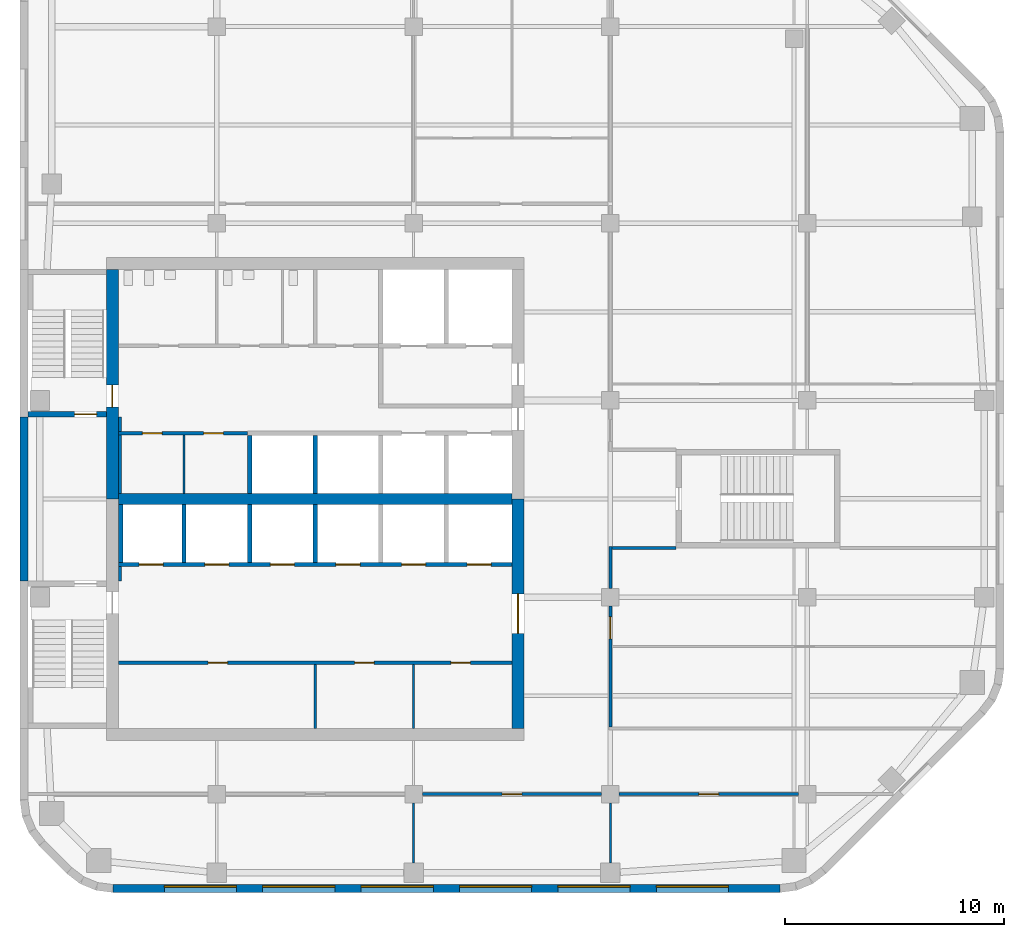
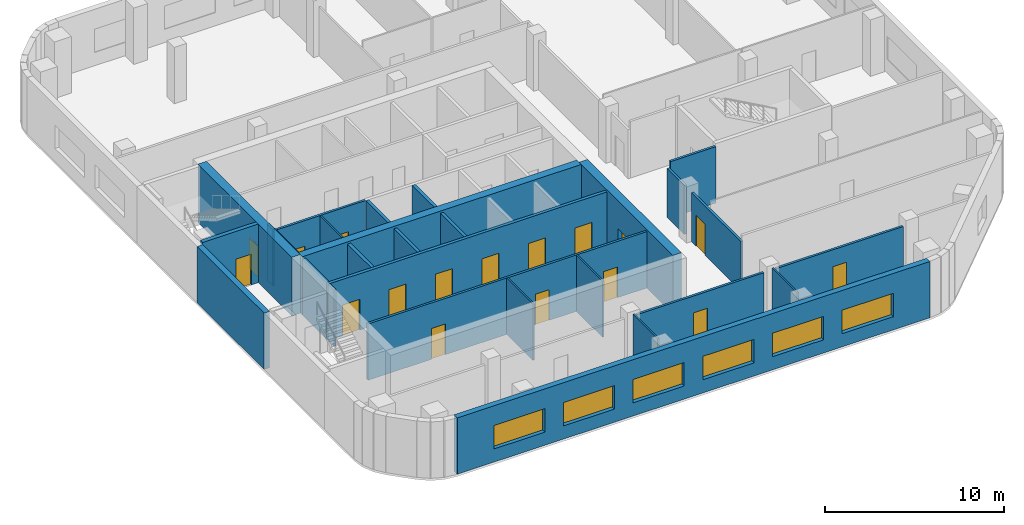
# One storey, part 3 of 8: 28 walls, 17 doors, 6 windows, 23 openings.
"""IFC4 building model written with IfcOpenShell, lengths in metres."""

from ifc_helpers import new_model, si_unit, direction, frame, frame_2d, origin, place, context, subcontext, project, spatial, rectangle, extrude, material, layer, layer_set, type_object, element, fill, save


model = new_model("IFC4")

# Units and contexts
model_context = context("Model", 3, precision=1e-05, world=origin(), true_north=direction((0.0, 1.0)))
body_context = subcontext(model_context, "Body", "Model", "MODEL_VIEW")
ifc_project = project(units=[si_unit("LENGTHUNIT", "METRE"), si_unit("AREAUNIT", "SQUARE_METRE"), si_unit("VOLUMEUNIT", "CUBIC_METRE"), si_unit("PLANEANGLEUNIT", "RADIAN"), si_unit("MASSUNIT", "GRAM", prefix="KILO")], contexts=[model_context])

# Site, building, storey
site_placement = place(None, origin())
site = spatial("IfcSite", under=ifc_project, at=site_placement, CompositionType="ELEMENT")
building_placement = place(site_placement, origin())
building = spatial("IfcBuilding", under=site, at=building_placement, Name="Cinnabar Reach Civic Tower", CompositionType="ELEMENT")
storey_placement = place(building_placement, frame((0.0, 0.0, 210.0)))
storey = spatial("IfcBuildingStorey", under=building, at=storey_placement, Name="L50", CompositionType="ELEMENT", Elevation=210.0)

# Wall, openings, windows
ifc_material_1 = material(Name="Facing brick with insulated backing", Category="masonry")
ifc_layer_1 = layer(ifc_material_1, 0.36)
ifc_layer_set_1 = layer_set([ifc_layer_1], Name="Brick pier and spandrel wall")
wall_type_1 = type_object("IfcWallType", Name="Brick pier and spandrel wall", PredefinedType="STANDARD", material=ifc_layer_set_1)
wall_1_placement = place(storey_placement, frame((4.2426, 13.68, 0.0), z_axis=(0.0, 0.0, 1.0), x_axis=(1.0, 0.0, 0.0)))
wall_1 = element("IfcWall", 1, at=wall_1_placement, inside=storey, type_object=wall_type_1, Name="Brick facade wall", PredefinedType="STANDARD", context=body_context, shape_type="SweptSolid", body=[
    extrude(rectangle(XDim=30.5148, YDim=0.36, at=frame_2d((15.2574, 0.0))), origin(), (0.0, 0.0, 1.0), 3.85),
])
opening_1_placement = place(wall_1_placement, frame((2.3574, 0.0, 0.9)))
opening_1 = element("IfcOpeningElement", 2, at=opening_1_placement, cuts=wall_1, Name="Opening W2020", PredefinedType="OPENING", context=body_context, shape_type="SweptSolid", body=[
    extrude(rectangle(XDim=3.3, YDim=1.6, at=frame_2d((1.65, 0.8))), frame((0.0, 0.19, 0.0), z_axis=(0.0, -1.0, 0.0), x_axis=(1.0, 0.0, 0.0)), (0.0, 0.0, 1.0), 0.38),
])
opening_2_placement = place(wall_1_placement, frame((6.8574, 0.0, 0.9)))
opening_2 = element("IfcOpeningElement", 3, at=opening_2_placement, cuts=wall_1, Name="Opening W2021", PredefinedType="OPENING", context=body_context, shape_type="SweptSolid", body=[
    extrude(rectangle(XDim=3.3, YDim=1.6, at=frame_2d((1.65, 0.8))), frame((0.0, 0.19, 0.0), z_axis=(0.0, -1.0, 0.0), x_axis=(1.0, 0.0, 0.0)), (0.0, 0.0, 1.0), 0.38),
])
opening_3_placement = place(wall_1_placement, frame((11.3574, 0.0, 0.9)))
opening_3 = element("IfcOpeningElement", 4, at=opening_3_placement, cuts=wall_1, Name="Opening W2022", PredefinedType="OPENING", context=body_context, shape_type="SweptSolid", body=[
    extrude(rectangle(XDim=3.3, YDim=1.6, at=frame_2d((1.65, 0.8))), frame((0.0, 0.19, 0.0), z_axis=(0.0, -1.0, 0.0), x_axis=(1.0, 0.0, 0.0)), (0.0, 0.0, 1.0), 0.38),
])
opening_4_placement = place(wall_1_placement, frame((15.8574, 0.0, 0.9)))
opening_4 = element("IfcOpeningElement", 5, at=opening_4_placement, cuts=wall_1, Name="Opening W2023", PredefinedType="OPENING", context=body_context, shape_type="SweptSolid", body=[
    extrude(rectangle(XDim=3.3, YDim=1.6, at=frame_2d((1.65, 0.8))), frame((0.0, 0.19, 0.0), z_axis=(0.0, -1.0, 0.0), x_axis=(1.0, 0.0, 0.0)), (0.0, 0.0, 1.0), 0.38),
])
opening_5_placement = place(wall_1_placement, frame((20.3574, 0.0, 0.9)))
opening_5 = element("IfcOpeningElement", 6, at=opening_5_placement, cuts=wall_1, Name="Opening W2024", PredefinedType="OPENING", context=body_context, shape_type="SweptSolid", body=[
    extrude(rectangle(XDim=3.3, YDim=1.6, at=frame_2d((1.65, 0.8))), frame((0.0, 0.19, 0.0), z_axis=(0.0, -1.0, 0.0), x_axis=(1.0, 0.0, 0.0)), (0.0, 0.0, 1.0), 0.38),
])
opening_6_placement = place(wall_1_placement, frame((24.8574, 0.0, 0.9)))
opening_6 = element("IfcOpeningElement", 7, at=opening_6_placement, cuts=wall_1, Name="Opening W2025", PredefinedType="OPENING", context=body_context, shape_type="SweptSolid", body=[
    extrude(rectangle(XDim=3.3, YDim=1.6, at=frame_2d((1.65, 0.8))), frame((0.0, 0.19, 0.0), z_axis=(0.0, -1.0, 0.0), x_axis=(1.0, 0.0, 0.0)), (0.0, 0.0, 1.0), 0.38),
])
ifc_material_2 = material(Name="Clear double glazing in aluminium frame", Category="aluminium")
window_type = type_object("IfcWindowType", Name="Deep-set window A", PartitioningType="SINGLE_PANEL", PredefinedType="WINDOW", material=ifc_material_2)
window_1_placement = place(opening_1_placement, origin())
window_1 = element("IfcWindow", 8, at=window_1_placement, inside=storey, type_object=window_type, Name="Window south face", OverallHeight=1.6, OverallWidth=3.3, PartitioningType="SINGLE_PANEL", PredefinedType="WINDOW", context=body_context, shape_type="SweptSolid", body=[
    extrude(rectangle(XDim=3.3, YDim=1.6, at=frame_2d((1.65, 0.8))), frame((0.0, 0.13, 0.0), z_axis=(0.0, -1.0, 0.0), x_axis=(1.0, 0.0, 0.0)), (0.0, 0.0, 1.0), 0.06),
])
fill(opening_1, window_1)
window_2_placement = place(opening_2_placement, origin())
window_2 = element("IfcWindow", 9, at=window_2_placement, inside=storey, type_object=window_type, Name="Window south face", OverallHeight=1.6, OverallWidth=3.3, PartitioningType="SINGLE_PANEL", PredefinedType="WINDOW", context=body_context, shape_type="SweptSolid", body=[
    extrude(rectangle(XDim=3.3, YDim=1.6, at=frame_2d((1.65, 0.8))), frame((0.0, 0.13, 0.0), z_axis=(0.0, -1.0, 0.0), x_axis=(1.0, 0.0, 0.0)), (0.0, 0.0, 1.0), 0.06),
])
fill(opening_2, window_2)
window_3_placement = place(opening_3_placement, origin())
window_3 = element("IfcWindow", 10, at=window_3_placement, inside=storey, type_object=window_type, Name="Window south face", OverallHeight=1.6, OverallWidth=3.3, PartitioningType="SINGLE_PANEL", PredefinedType="WINDOW", context=body_context, shape_type="SweptSolid", body=[
    extrude(rectangle(XDim=3.3, YDim=1.6, at=frame_2d((1.65, 0.8))), frame((0.0, 0.13, 0.0), z_axis=(0.0, -1.0, 0.0), x_axis=(1.0, 0.0, 0.0)), (0.0, 0.0, 1.0), 0.06),
])
fill(opening_3, window_3)
window_4_placement = place(opening_4_placement, origin())
window_4 = element("IfcWindow", 11, at=window_4_placement, inside=storey, type_object=window_type, Name="Window south face", OverallHeight=1.6, OverallWidth=3.3, PartitioningType="SINGLE_PANEL", PredefinedType="WINDOW", context=body_context, shape_type="SweptSolid", body=[
    extrude(rectangle(XDim=3.3, YDim=1.6, at=frame_2d((1.65, 0.8))), frame((0.0, 0.13, 0.0), z_axis=(0.0, -1.0, 0.0), x_axis=(1.0, 0.0, 0.0)), (0.0, 0.0, 1.0), 0.06),
])
fill(opening_4, window_4)
window_5_placement = place(opening_5_placement, origin())
window_5 = element("IfcWindow", 12, at=window_5_placement, inside=storey, type_object=window_type, Name="Window south face", OverallHeight=1.6, OverallWidth=3.3, PartitioningType="SINGLE_PANEL", PredefinedType="WINDOW", context=body_context, shape_type="SweptSolid", body=[
    extrude(rectangle(XDim=3.3, YDim=1.6, at=frame_2d((1.65, 0.8))), frame((0.0, 0.13, 0.0), z_axis=(0.0, -1.0, 0.0), x_axis=(1.0, 0.0, 0.0)), (0.0, 0.0, 1.0), 0.06),
])
fill(opening_5, window_5)
window_6_placement = place(opening_6_placement, origin())
window_6 = element("IfcWindow", 13, at=window_6_placement, inside=storey, type_object=window_type, Name="Window south face", OverallHeight=1.6, OverallWidth=3.3, PartitioningType="SINGLE_PANEL", PredefinedType="WINDOW", context=body_context, shape_type="SweptSolid", body=[
    extrude(rectangle(XDim=3.3, YDim=1.6, at=frame_2d((1.65, 0.8))), frame((0.0, 0.13, 0.0), z_axis=(0.0, -1.0, 0.0), x_axis=(1.0, 0.0, 0.0)), (0.0, 0.0, 1.0), 0.06),
])
fill(opening_6, window_6)

# Walls
wall_2_placement = place(storey_placement, frame((0.18, 35.25, 0.0), z_axis=(0.0, 0.0, 1.0), x_axis=(0.0, -1.0, 0.0)))
element("IfcWall", 14, at=wall_2_placement, inside=storey, type_object=wall_type_1, Name="Brick facade wall", PredefinedType="STANDARD", context=body_context, shape_type="SweptSolid", body=[
    extrude(rectangle(XDim=7.5, YDim=0.36, at=frame_2d((3.75, 0.0))), origin(), (0.0, 0.0, 1.0), 3.85),
])
ifc_material_3 = material(Name="Concrete C60", Category="concrete")
ifc_layer_2 = layer(ifc_material_3, 0.5)
ifc_layer_set_2 = layer_set([ifc_layer_2], Name="Core wall 500 EI 180")
wall_type_2 = type_object("IfcWallType", Name="Core wall 500 EI 180", PredefinedType="SOLIDWALL", material=ifc_layer_set_2)
wall_3_placement = place(storey_placement, frame((4.5, 31.5, 0.0), z_axis=(0.0, 0.0, 1.0), x_axis=(1.0, 0.0, 0.0)))
element("IfcWall", 15, at=wall_3_placement, inside=storey, type_object=wall_type_2, Name="Core spine wall T1 L50", PredefinedType="SOLIDWALL", context=body_context, shape_type="SweptSolid", body=[
    extrude(rectangle(XDim=18.0, YDim=0.5, at=frame_2d((9.0, 0.0))), origin(), (0.0, 0.0, 1.0), 4.0),
])

# Wall, opening, door
ifc_layer_3 = layer(ifc_material_3, 0.55)
ifc_layer_set_3 = layer_set([ifc_layer_3], Name="Core wall 550 EI 180")
wall_type_3 = type_object("IfcWallType", Name="Core wall 550 EI 180", PredefinedType="SOLIDWALL", material=ifc_layer_set_3)
wall_4_placement = place(storey_placement, frame((22.775, 21.0, 0.0), z_axis=(0.0, 0.0, 1.0), x_axis=(0.0, 1.0, 0.0)))
wall_4 = element("IfcWall", 16, at=wall_4_placement, inside=storey, type_object=wall_type_3, Name="Core wall T1 L50 E", PredefinedType="SOLIDWALL", context=body_context, shape_type="SweptSolid", body=[
    extrude(rectangle(XDim=10.5, YDim=0.55, at=frame_2d((5.25, 0.0))), origin(), (0.0, 0.0, 1.0), 4.0),
])
opening_7_placement = place(wall_4_placement, frame((4.35, 0.0, 0.0)))
opening_7 = element("IfcOpeningElement", 17, at=opening_7_placement, cuts=wall_4, Name="Opening D5046", PredefinedType="OPENING", context=body_context, shape_type="SweptSolid", body=[
    extrude(rectangle(XDim=1.8, YDim=2.1, at=frame_2d((0.9, 1.05))), frame((0.0, 0.285, 0.0), z_axis=(0.0, -1.0, 0.0), x_axis=(1.0, 0.0, 0.0)), (0.0, 0.0, 1.0), 0.57),
])
ifc_material_4 = material(Name="Timber door leaf in steel frame", Category="steel")
door_type_1 = type_object("IfcDoorType", Name="Double swing door 1800 x 2100 T1", OperationType="DOUBLE_DOOR_DOUBLE_SWING", PredefinedType="DOOR", material=ifc_material_4)
door_1_placement = place(opening_7_placement, origin())
door_1 = element("IfcDoor", 18, at=door_1_placement, inside=storey, type_object=door_type_1, Name="Door D5046", OperationType="DOUBLE_DOOR_DOUBLE_SWING", OverallHeight=2.1, OverallWidth=1.8, PredefinedType="DOOR", context=body_context, shape_type="SweptSolid", body=[
    extrude(rectangle(XDim=1.8, YDim=2.1, at=frame_2d((0.9, 1.05))), frame((0.0, 0.025, 0.0), z_axis=(0.0, -1.0, 0.0), x_axis=(1.0, 0.0, 0.0)), (0.0, 0.0, 1.0), 0.05),
])
fill(opening_7, door_1)

wall_5_placement = place(storey_placement, frame((4.225, 42.0, 0.0), z_axis=(0.0, 0.0, 1.0), x_axis=(0.0, -1.0, 0.0)))
wall_5 = element("IfcWall", 19, at=wall_5_placement, inside=storey, type_object=wall_type_3, Name="Core wall T1 L50 W", PredefinedType="SOLIDWALL", context=body_context, shape_type="SweptSolid", body=[
    extrude(rectangle(XDim=10.5, YDim=0.55, at=frame_2d((5.25, 0.0))), origin(), (0.0, 0.0, 1.0), 4.0),
])
opening_8_placement = place(wall_5_placement, frame((5.3, 0.0, 0.0)))
opening_8 = element("IfcOpeningElement", 20, at=opening_8_placement, cuts=wall_5, Name="Opening D5034", PredefinedType="OPENING", context=body_context, shape_type="SweptSolid", body=[
    extrude(rectangle(XDim=1.0, YDim=2.1, at=frame_2d((0.5, 1.05))), frame((0.0, 0.285, 0.0), z_axis=(0.0, -1.0, 0.0), x_axis=(1.0, 0.0, 0.0)), (0.0, 0.0, 1.0), 0.57),
])
door_type_2 = type_object("IfcDoorType", Name="Stair door 1000 x 2100 T1", OperationType="SINGLE_SWING_LEFT", PredefinedType="DOOR", material=ifc_material_4)
door_2_placement = place(opening_8_placement, frame((1.0, 0.0, 0.0), z_axis=(0.0, 0.0, 1.0), x_axis=(-1.0, 0.0, 0.0)))
door_2 = element("IfcDoor", 21, at=door_2_placement, inside=storey, type_object=door_type_2, Name="Door D5034", OperationType="SINGLE_SWING_LEFT", OverallHeight=2.1, OverallWidth=1.0, PredefinedType="DOOR", context=body_context, shape_type="SweptSolid", body=[
    extrude(rectangle(XDim=1.0, YDim=2.1, at=frame_2d((0.5, 1.05))), frame((0.0, 0.025, 0.0), z_axis=(0.0, -1.0, 0.0), x_axis=(1.0, 0.0, 0.0)), (0.0, 0.0, 1.0), 0.05),
])
fill(opening_8, door_2)

ifc_material_5 = material(Name="Gypsum board on steel studs, double layer", Category="steel")
ifc_layer_4 = layer(ifc_material_5, 0.15)
ifc_layer_set_4 = layer_set([ifc_layer_4], Name="Corridor wall 150 T1")
wall_type_4 = type_object("IfcWallType", Name="Corridor wall 150 T1", PredefinedType="PARTITIONING", material=ifc_layer_set_4)
wall_6_placement = place(storey_placement, frame((27.4, 18.0, 0.0), z_axis=(0.0, 0.0, 1.0), x_axis=(1.0, 0.0, 0.0)))
wall_6 = element("IfcWall", 22, at=wall_6_placement, inside=storey, type_object=wall_type_4, Name="Corridor wall 19", PredefinedType="PARTITIONING", context=body_context, shape_type="SweptSolid", body=[
    extrude(rectangle(XDim=8.2, YDim=0.15, at=frame_2d((4.1, 0.0))), origin(), (0.0, 0.0, 1.0), 3.254),
])
opening_9_placement = place(wall_6_placement, frame((3.65, 0.0, 0.0)))
opening_9 = element("IfcOpeningElement", 23, at=opening_9_placement, cuts=wall_6, Name="Opening D5066", PredefinedType="OPENING", context=body_context, shape_type="SweptSolid", body=[
    extrude(rectangle(XDim=0.9, YDim=2.1, at=frame_2d((0.45, 1.05))), frame((0.0, 0.085, 0.0), z_axis=(0.0, -1.0, 0.0), x_axis=(1.0, 0.0, 0.0)), (0.0, 0.0, 1.0), 0.17),
])
door_type_3 = type_object("IfcDoorType", Name="Single swing door 900 x 2100 corridor T1", OperationType="SINGLE_SWING_LEFT", PredefinedType="DOOR", material=ifc_material_4)
door_3_placement = place(opening_9_placement, frame((0.9, 0.0, 0.0), z_axis=(0.0, 0.0, 1.0), x_axis=(-1.0, 0.0, 0.0)))
door_3 = element("IfcDoor", 24, at=door_3_placement, inside=storey, type_object=door_type_3, Name="Door D5066", OperationType="SINGLE_SWING_RIGHT", OverallHeight=2.1, OverallWidth=0.9, PredefinedType="DOOR", context=body_context, shape_type="SweptSolid", body=[
    extrude(rectangle(XDim=0.9, YDim=2.1, at=frame_2d((0.45, 1.05))), frame((0.0, 0.025, 0.0), z_axis=(0.0, -1.0, 0.0), x_axis=(1.0, 0.0, 0.0)), (0.0, 0.0, 1.0), 0.05),
])
fill(opening_9, door_3)

wall_7_placement = place(storey_placement, frame((18.4, 18.0, 0.0), z_axis=(0.0, 0.0, 1.0), x_axis=(1.0, 0.0, 0.0)))
wall_7 = element("IfcWall", 25, at=wall_7_placement, inside=storey, type_object=wall_type_4, Name="Corridor wall 20", PredefinedType="PARTITIONING", context=body_context, shape_type="SweptSolid", body=[
    extrude(rectangle(XDim=8.2, YDim=0.15, at=frame_2d((4.1, 0.0))), origin(), (0.0, 0.0, 1.0), 3.254),
])
opening_10_placement = place(wall_7_placement, frame((3.65, 0.0, 0.0)))
opening_10 = element("IfcOpeningElement", 26, at=opening_10_placement, cuts=wall_7, Name="Opening D5065", PredefinedType="OPENING", context=body_context, shape_type="SweptSolid", body=[
    extrude(rectangle(XDim=0.9, YDim=2.1, at=frame_2d((0.45, 1.05))), frame((0.0, 0.085, 0.0), z_axis=(0.0, -1.0, 0.0), x_axis=(1.0, 0.0, 0.0)), (0.0, 0.0, 1.0), 0.17),
])
door_4_placement = place(opening_10_placement, frame((0.9, 0.0, 0.0), z_axis=(0.0, 0.0, 1.0), x_axis=(-1.0, 0.0, 0.0)))
door_4 = element("IfcDoor", 27, at=door_4_placement, inside=storey, type_object=door_type_3, Name="Door D5065", OperationType="SINGLE_SWING_RIGHT", OverallHeight=2.1, OverallWidth=0.9, PredefinedType="DOOR", context=body_context, shape_type="SweptSolid", body=[
    extrude(rectangle(XDim=0.9, YDim=2.1, at=frame_2d((0.45, 1.05))), frame((0.0, 0.025, 0.0), z_axis=(0.0, -1.0, 0.0), x_axis=(1.0, 0.0, 0.0)), (0.0, 0.0, 1.0), 0.05),
])
fill(opening_10, door_4)

# Wall, openings, doors
wall_8_placement = place(storey_placement, frame((4.5, 24.0, 0.0), z_axis=(0.0, 0.0, 1.0), x_axis=(1.0, 0.0, 0.0)))
wall_8 = element("IfcWall", 28, at=wall_8_placement, inside=storey, type_object=wall_type_4, Name="Corridor wall 24", PredefinedType="PARTITIONING", context=body_context, shape_type="SweptSolid", body=[
    extrude(rectangle(XDim=18.0, YDim=0.15, at=frame_2d((9.0, 0.0))), origin(), (0.0, 0.0, 1.0), 3.85),
])
opening_11_placement = place(wall_8_placement, frame((4.1, 0.0, 0.0)))
opening_11 = element("IfcOpeningElement", 29, at=opening_11_placement, cuts=wall_8, Name="Opening D5050", PredefinedType="OPENING", context=body_context, shape_type="SweptSolid", body=[
    extrude(rectangle(XDim=0.9, YDim=2.1, at=frame_2d((0.45, 1.05))), frame((0.0, 0.085, 0.0), z_axis=(0.0, -1.0, 0.0), x_axis=(1.0, 0.0, 0.0)), (0.0, 0.0, 1.0), 0.17),
])
opening_12_placement = place(wall_8_placement, frame((10.8, 0.0, 0.0)))
opening_12 = element("IfcOpeningElement", 30, at=opening_12_placement, cuts=wall_8, Name="Opening D5051", PredefinedType="OPENING", context=body_context, shape_type="SweptSolid", body=[
    extrude(rectangle(XDim=0.9, YDim=2.1, at=frame_2d((0.45, 1.05))), frame((0.0, 0.085, 0.0), z_axis=(0.0, -1.0, 0.0), x_axis=(1.0, 0.0, 0.0)), (0.0, 0.0, 1.0), 0.17),
])
opening_13_placement = place(wall_8_placement, frame((15.2, 0.0, 0.0)))
opening_13 = element("IfcOpeningElement", 31, at=opening_13_placement, cuts=wall_8, Name="Opening D5052", PredefinedType="OPENING", context=body_context, shape_type="SweptSolid", body=[
    extrude(rectangle(XDim=0.9, YDim=2.1, at=frame_2d((0.45, 1.05))), frame((0.0, 0.085, 0.0), z_axis=(0.0, -1.0, 0.0), x_axis=(1.0, 0.0, 0.0)), (0.0, 0.0, 1.0), 0.17),
])
door_5_placement = place(opening_11_placement, frame((0.9, 0.0, 0.0), z_axis=(0.0, 0.0, 1.0), x_axis=(-1.0, 0.0, 0.0)))
door_5 = element("IfcDoor", 32, at=door_5_placement, inside=storey, type_object=door_type_3, Name="Door D5050", OperationType="SINGLE_SWING_LEFT", OverallHeight=2.1, OverallWidth=0.9, PredefinedType="DOOR", context=body_context, shape_type="SweptSolid", body=[
    extrude(rectangle(XDim=0.9, YDim=2.1, at=frame_2d((0.45, 1.05))), frame((0.0, 0.025, 0.0), z_axis=(0.0, -1.0, 0.0), x_axis=(1.0, 0.0, 0.0)), (0.0, 0.0, 1.0), 0.05),
])
fill(opening_11, door_5)
door_6_placement = place(opening_12_placement, frame((0.9, 0.0, 0.0), z_axis=(0.0, 0.0, 1.0), x_axis=(-1.0, 0.0, 0.0)))
door_6 = element("IfcDoor", 33, at=door_6_placement, inside=storey, type_object=door_type_3, Name="Door D5051", OperationType="SINGLE_SWING_LEFT", OverallHeight=2.1, OverallWidth=0.9, PredefinedType="DOOR", context=body_context, shape_type="SweptSolid", body=[
    extrude(rectangle(XDim=0.9, YDim=2.1, at=frame_2d((0.45, 1.05))), frame((0.0, 0.025, 0.0), z_axis=(0.0, -1.0, 0.0), x_axis=(1.0, 0.0, 0.0)), (0.0, 0.0, 1.0), 0.05),
])
fill(opening_12, door_6)
door_7_placement = place(opening_13_placement, frame((0.9, 0.0, 0.0), z_axis=(0.0, 0.0, 1.0), x_axis=(-1.0, 0.0, 0.0)))
door_7 = element("IfcDoor", 34, at=door_7_placement, inside=storey, type_object=door_type_3, Name="Door D5052", OperationType="SINGLE_SWING_RIGHT", OverallHeight=2.1, OverallWidth=0.9, PredefinedType="DOOR", context=body_context, shape_type="SweptSolid", body=[
    extrude(rectangle(XDim=0.9, YDim=2.1, at=frame_2d((0.45, 1.05))), frame((0.0, 0.025, 0.0), z_axis=(0.0, -1.0, 0.0), x_axis=(1.0, 0.0, 0.0)), (0.0, 0.0, 1.0), 0.05),
])
fill(opening_13, door_7)

# Wall, opening, door
wall_9_placement = place(storey_placement, frame((27.0, 21.075, 0.0), z_axis=(0.0, 0.0, 1.0), x_axis=(0.0, 1.0, 0.0)))
wall_9 = element("IfcWall", 35, at=wall_9_placement, inside=storey, type_object=wall_type_4, Name="Corridor wall 30", PredefinedType="PARTITIONING", context=body_context, shape_type="SweptSolid", body=[
    extrude(rectangle(XDim=5.525, YDim=0.15, at=frame_2d((2.7625, 0.0))), origin(), (0.0, 0.0, 1.0), 3.35),
])
opening_14_placement = place(wall_9_placement, frame((4.025, 0.0, 0.0)))
opening_14 = element("IfcOpeningElement", 36, at=opening_14_placement, cuts=wall_9, Name="Opening D5062", PredefinedType="OPENING", context=body_context, shape_type="SweptSolid", body=[
    extrude(rectangle(XDim=1.0, YDim=2.1, at=frame_2d((0.5, 1.05))), frame((0.0, 0.085, 0.0), z_axis=(0.0, -1.0, 0.0), x_axis=(1.0, 0.0, 0.0)), (0.0, 0.0, 1.0), 0.17),
])
door_type_4 = type_object("IfcDoorType", Name="Tenancy entrance door 1000 x 2100 T1", OperationType="SINGLE_SWING_LEFT", PredefinedType="DOOR", material=ifc_material_4)
door_8_placement = place(opening_14_placement, frame((1.0, 0.0, 0.0), z_axis=(0.0, 0.0, 1.0), x_axis=(-1.0, 0.0, 0.0)))
door_8 = element("IfcDoor", 37, at=door_8_placement, inside=storey, type_object=door_type_4, Name="Door D5062", OperationType="SINGLE_SWING_RIGHT", OverallHeight=2.1, OverallWidth=1.0, PredefinedType="DOOR", context=body_context, shape_type="SweptSolid", body=[
    extrude(rectangle(XDim=1.0, YDim=2.1, at=frame_2d((0.5, 1.05))), frame((0.0, 0.025, 0.0), z_axis=(0.0, -1.0, 0.0), x_axis=(1.0, 0.0, 0.0)), (0.0, 0.0, 1.0), 0.05),
])
fill(opening_14, door_8)

# Wall
wall_10_placement = place(storey_placement, frame((27.0, 27.4, 0.0), z_axis=(0.0, 0.0, 1.0), x_axis=(0.0, 1.0, 0.0)))
element("IfcWall", 38, at=wall_10_placement, inside=storey, type_object=wall_type_4, Name="Corridor wall 31", PredefinedType="PARTITIONING", context=body_context, shape_type="SweptSolid", body=[
    extrude(rectangle(XDim=1.925, YDim=0.15, at=frame_2d((0.9625, 0.0))), origin(), (0.0, 0.0, 1.0), 3.35),
])

# Wall, openings, doors
wall_11_placement = place(storey_placement, frame((4.5, 34.5, 0.0), z_axis=(0.0, 0.0, 1.0), x_axis=(1.0, 0.0, 0.0)))
wall_11 = element("IfcWall", 39, at=wall_11_placement, inside=storey, type_object=wall_type_4, Name="Corridor wall 32", PredefinedType="PARTITIONING", context=body_context, shape_type="SweptSolid", body=[
    extrude(rectangle(XDim=5.9, YDim=0.15, at=frame_2d((2.95, 0.0))), origin(), (0.0, 0.0, 1.0), 3.85),
])
opening_15_placement = place(wall_11_placement, frame((1.1, 0.0, 0.0)))
opening_15 = element("IfcOpeningElement", 40, at=opening_15_placement, cuts=wall_11, Name="Opening D5053", PredefinedType="OPENING", context=body_context, shape_type="SweptSolid", body=[
    extrude(rectangle(XDim=0.9, YDim=2.1, at=frame_2d((0.45, 1.05))), frame((0.0, 0.085, 0.0), z_axis=(0.0, -1.0, 0.0), x_axis=(1.0, 0.0, 0.0)), (0.0, 0.0, 1.0), 0.17),
])
opening_16_placement = place(wall_11_placement, frame((3.9, 0.0, 0.0)))
opening_16 = element("IfcOpeningElement", 41, at=opening_16_placement, cuts=wall_11, Name="Opening D5054", PredefinedType="OPENING", context=body_context, shape_type="SweptSolid", body=[
    extrude(rectangle(XDim=0.9, YDim=2.1, at=frame_2d((0.45, 1.05))), frame((0.0, 0.085, 0.0), z_axis=(0.0, -1.0, 0.0), x_axis=(1.0, 0.0, 0.0)), (0.0, 0.0, 1.0), 0.17),
])
door_9_placement = place(opening_15_placement, frame((0.9, 0.0, 0.0), z_axis=(0.0, 0.0, 1.0), x_axis=(-1.0, 0.0, 0.0)))
door_9 = element("IfcDoor", 42, at=door_9_placement, inside=storey, type_object=door_type_3, Name="Door D5053", OperationType="SINGLE_SWING_RIGHT", OverallHeight=2.1, OverallWidth=0.9, PredefinedType="DOOR", context=body_context, shape_type="SweptSolid", body=[
    extrude(rectangle(XDim=0.9, YDim=2.1, at=frame_2d((0.45, 1.05))), frame((0.0, 0.025, 0.0), z_axis=(0.0, -1.0, 0.0), x_axis=(1.0, 0.0, 0.0)), (0.0, 0.0, 1.0), 0.05),
])
fill(opening_15, door_9)
door_10_placement = place(opening_16_placement, frame((0.9, 0.0, 0.0), z_axis=(0.0, 0.0, 1.0), x_axis=(-1.0, 0.0, 0.0)))
door_10 = element("IfcDoor", 43, at=door_10_placement, inside=storey, type_object=door_type_3, Name="Door D5054", OperationType="SINGLE_SWING_LEFT", OverallHeight=2.1, OverallWidth=0.9, PredefinedType="DOOR", context=body_context, shape_type="SweptSolid", body=[
    extrude(rectangle(XDim=0.9, YDim=2.1, at=frame_2d((0.45, 1.05))), frame((0.0, 0.025, 0.0), z_axis=(0.0, -1.0, 0.0), x_axis=(1.0, 0.0, 0.0)), (0.0, 0.0, 1.0), 0.05),
])
fill(opening_16, door_10)

# Walls
wall_12_placement = place(storey_placement, frame((4.575, 34.575, 0.0), z_axis=(0.0, 0.0, 1.0), x_axis=(0.0, 1.0, 0.0)))
element("IfcWall", 44, at=wall_12_placement, inside=storey, type_object=wall_type_4, Name="Corridor wall 33", PredefinedType="PARTITIONING", context=body_context, shape_type="SweptSolid", body=[
    extrude(rectangle(XDim=0.675, YDim=0.15, at=frame_2d((0.3375, 0.0))), origin(), (0.0, 0.0, 1.0), 3.85),
])
wall_13_placement = place(storey_placement, frame((4.575, 31.75, 0.0), z_axis=(0.0, 0.0, 1.0), x_axis=(0.0, 1.0, 0.0)))
element("IfcWall", 45, at=wall_13_placement, inside=storey, type_object=wall_type_4, Name="Corridor wall 34", PredefinedType="PARTITIONING", context=body_context, shape_type="SweptSolid", body=[
    extrude(rectangle(XDim=2.675, YDim=0.15, at=frame_2d((1.3375, 0.0))), origin(), (0.0, 0.0, 1.0), 3.85),
])
wall_14_placement = place(storey_placement, frame((27.075, 29.25, 0.0), z_axis=(0.0, 0.0, 1.0), x_axis=(1.0, 0.0, 0.0)))
element("IfcWall", 46, at=wall_14_placement, inside=storey, type_object=wall_type_4, Name="Corridor wall 35", PredefinedType="PARTITIONING", context=body_context, shape_type="SweptSolid", body=[
    extrude(rectangle(XDim=2.925, YDim=0.15, at=frame_2d((1.4625, 0.0))), origin(), (0.0, 0.0, 1.0), 3.85),
])
wall_15_placement = place(storey_placement, frame((4.575, 27.75, 0.0), z_axis=(0.0, 0.0, 1.0), x_axis=(0.0, 1.0, 0.0)))
element("IfcWall", 47, at=wall_15_placement, inside=storey, type_object=wall_type_4, Name="Corridor wall 37", PredefinedType="PARTITIONING", context=body_context, shape_type="SweptSolid", body=[
    extrude(rectangle(XDim=0.65, YDim=0.15, at=frame_2d((0.325, 0.0))), origin(), (0.0, 0.0, 1.0), 3.85),
])

# Wall, openings, doors
ifc_material_6 = material(Name="Blockwork", Category="masonry")
ifc_layer_5 = layer(ifc_material_6, 0.2)
ifc_layer_set_5 = layer_set([ifc_layer_5], Name="Lift shaft wall 200 T1")
wall_type_5 = type_object("IfcWallType", Name="Lift shaft wall 200 T1", PredefinedType="PARTITIONING", material=ifc_layer_set_5)
wall_16_placement = place(storey_placement, frame((4.5, 28.5, 0.0), z_axis=(0.0, 0.0, 1.0), x_axis=(1.0, 0.0, 0.0)))
wall_16 = element("IfcWall", 48, at=wall_16_placement, inside=storey, type_object=wall_type_5, Name="Lift shaft wall 4", PredefinedType="PARTITIONING", context=body_context, shape_type="SweptSolid", body=[
    extrude(rectangle(XDim=18.0, YDim=0.2, at=frame_2d((9.0, 0.0))), origin(), (0.0, 0.0, 1.0), 3.85),
])
opening_17_placement = place(wall_16_placement, frame((0.95, 0.0, 0.0)))
opening_17 = element("IfcOpeningElement", 49, at=opening_17_placement, cuts=wall_16, Name="Opening D5036", PredefinedType="OPENING", context=body_context, shape_type="SweptSolid", body=[
    extrude(rectangle(XDim=1.1, YDim=2.1, at=frame_2d((0.55, 1.05))), frame((0.0, 0.11, 0.0), z_axis=(0.0, -1.0, 0.0), x_axis=(1.0, 0.0, 0.0)), (0.0, 0.0, 1.0), 0.22),
])
opening_18_placement = place(wall_16_placement, frame((3.95, 0.0, 0.0)))
opening_18 = element("IfcOpeningElement", 50, at=opening_18_placement, cuts=wall_16, Name="Opening D5037", PredefinedType="OPENING", context=body_context, shape_type="SweptSolid", body=[
    extrude(rectangle(XDim=1.1, YDim=2.1, at=frame_2d((0.55, 1.05))), frame((0.0, 0.11, 0.0), z_axis=(0.0, -1.0, 0.0), x_axis=(1.0, 0.0, 0.0)), (0.0, 0.0, 1.0), 0.22),
])
opening_19_placement = place(wall_16_placement, frame((6.95, 0.0, 0.0)))
opening_19 = element("IfcOpeningElement", 51, at=opening_19_placement, cuts=wall_16, Name="Opening D5038", PredefinedType="OPENING", context=body_context, shape_type="SweptSolid", body=[
    extrude(rectangle(XDim=1.1, YDim=2.1, at=frame_2d((0.55, 1.05))), frame((0.0, 0.11, 0.0), z_axis=(0.0, -1.0, 0.0), x_axis=(1.0, 0.0, 0.0)), (0.0, 0.0, 1.0), 0.22),
])
opening_20_placement = place(wall_16_placement, frame((9.95, 0.0, 0.0)))
opening_20 = element("IfcOpeningElement", 52, at=opening_20_placement, cuts=wall_16, Name="Opening D5039", PredefinedType="OPENING", context=body_context, shape_type="SweptSolid", body=[
    extrude(rectangle(XDim=1.1, YDim=2.1, at=frame_2d((0.55, 1.05))), frame((0.0, 0.11, 0.0), z_axis=(0.0, -1.0, 0.0), x_axis=(1.0, 0.0, 0.0)), (0.0, 0.0, 1.0), 0.22),
])
opening_21_placement = place(wall_16_placement, frame((12.95, 0.0, 0.0)))
opening_21 = element("IfcOpeningElement", 53, at=opening_21_placement, cuts=wall_16, Name="Opening D5040", PredefinedType="OPENING", context=body_context, shape_type="SweptSolid", body=[
    extrude(rectangle(XDim=1.1, YDim=2.1, at=frame_2d((0.55, 1.05))), frame((0.0, 0.11, 0.0), z_axis=(0.0, -1.0, 0.0), x_axis=(1.0, 0.0, 0.0)), (0.0, 0.0, 1.0), 0.22),
])
opening_22_placement = place(wall_16_placement, frame((15.95, 0.0, 0.0)))
opening_22 = element("IfcOpeningElement", 54, at=opening_22_placement, cuts=wall_16, Name="Opening D5041", PredefinedType="OPENING", context=body_context, shape_type="SweptSolid", body=[
    extrude(rectangle(XDim=1.1, YDim=2.1, at=frame_2d((0.55, 1.05))), frame((0.0, 0.11, 0.0), z_axis=(0.0, -1.0, 0.0), x_axis=(1.0, 0.0, 0.0)), (0.0, 0.0, 1.0), 0.22),
])
ifc_material_7 = material(Name="Stainless steel sliding door", Category="steel")
door_type_5 = type_object("IfcDoorType", Name="Lift landing door 1100 x 2100 T1", OperationType="SLIDING_TO_LEFT", PredefinedType="DOOR", material=ifc_material_7)
door_11_placement = place(opening_17_placement, origin())
door_11 = element("IfcDoor", 55, at=door_11_placement, inside=storey, type_object=door_type_5, Name="Lift landing door HR1 L50", OperationType="SLIDING_TO_LEFT", OverallHeight=2.1, OverallWidth=1.1, PredefinedType="DOOR", context=body_context, shape_type="SweptSolid", body=[
    extrude(rectangle(XDim=1.1, YDim=2.1, at=frame_2d((0.55, 1.05))), frame((0.0, 0.025, 0.0), z_axis=(0.0, -1.0, 0.0), x_axis=(1.0, 0.0, 0.0)), (0.0, 0.0, 1.0), 0.05),
])
fill(opening_17, door_11)
door_12_placement = place(opening_18_placement, origin())
door_12 = element("IfcDoor", 56, at=door_12_placement, inside=storey, type_object=door_type_5, Name="Lift landing door HR2 L50", OperationType="SLIDING_TO_LEFT", OverallHeight=2.1, OverallWidth=1.1, PredefinedType="DOOR", context=body_context, shape_type="SweptSolid", body=[
    extrude(rectangle(XDim=1.1, YDim=2.1, at=frame_2d((0.55, 1.05))), frame((0.0, 0.025, 0.0), z_axis=(0.0, -1.0, 0.0), x_axis=(1.0, 0.0, 0.0)), (0.0, 0.0, 1.0), 0.05),
])
fill(opening_18, door_12)
door_13_placement = place(opening_19_placement, origin())
door_13 = element("IfcDoor", 57, at=door_13_placement, inside=storey, type_object=door_type_5, Name="Lift landing door HR3 L50", OperationType="SLIDING_TO_LEFT", OverallHeight=2.1, OverallWidth=1.1, PredefinedType="DOOR", context=body_context, shape_type="SweptSolid", body=[
    extrude(rectangle(XDim=1.1, YDim=2.1, at=frame_2d((0.55, 1.05))), frame((0.0, 0.025, 0.0), z_axis=(0.0, -1.0, 0.0), x_axis=(1.0, 0.0, 0.0)), (0.0, 0.0, 1.0), 0.05),
])
fill(opening_19, door_13)
door_14_placement = place(opening_20_placement, origin())
door_14 = element("IfcDoor", 58, at=door_14_placement, inside=storey, type_object=door_type_5, Name="Lift landing door HR4 L50", OperationType="SLIDING_TO_LEFT", OverallHeight=2.1, OverallWidth=1.1, PredefinedType="DOOR", context=body_context, shape_type="SweptSolid", body=[
    extrude(rectangle(XDim=1.1, YDim=2.1, at=frame_2d((0.55, 1.05))), frame((0.0, 0.025, 0.0), z_axis=(0.0, -1.0, 0.0), x_axis=(1.0, 0.0, 0.0)), (0.0, 0.0, 1.0), 0.05),
])
fill(opening_20, door_14)
door_15_placement = place(opening_21_placement, origin())
door_15 = element("IfcDoor", 59, at=door_15_placement, inside=storey, type_object=door_type_5, Name="Lift landing door HR5 L50", OperationType="SLIDING_TO_LEFT", OverallHeight=2.1, OverallWidth=1.1, PredefinedType="DOOR", context=body_context, shape_type="SweptSolid", body=[
    extrude(rectangle(XDim=1.1, YDim=2.1, at=frame_2d((0.55, 1.05))), frame((0.0, 0.025, 0.0), z_axis=(0.0, -1.0, 0.0), x_axis=(1.0, 0.0, 0.0)), (0.0, 0.0, 1.0), 0.05),
])
fill(opening_21, door_15)
door_16_placement = place(opening_22_placement, origin())
door_16 = element("IfcDoor", 60, at=door_16_placement, inside=storey, type_object=door_type_5, Name="Lift landing door HR6 L50", OperationType="SLIDING_TO_LEFT", OverallHeight=2.1, OverallWidth=1.1, PredefinedType="DOOR", context=body_context, shape_type="SweptSolid", body=[
    extrude(rectangle(XDim=1.1, YDim=2.1, at=frame_2d((0.55, 1.05))), frame((0.0, 0.025, 0.0), z_axis=(0.0, -1.0, 0.0), x_axis=(1.0, 0.0, 0.0)), (0.0, 0.0, 1.0), 0.05),
])
fill(opening_22, door_16)

# Walls
for number, where, z_axis, x_axis, name in (
    (61, (10.5, 28.6, 0.0), (0.0, 0.0, 1.0), (0.0, 1.0, 0.0), "Lift shaft wall 6"),
    (62, (10.5, 31.75, 0.0), (0.0, 0.0, 1.0), (0.0, 1.0, 0.0), "Lift shaft wall 7"),
    (63, (13.5, 28.6, 0.0), (0.0, 0.0, 1.0), (0.0, 1.0, 0.0), "Lift shaft wall 8"),
    (64, (13.5, 31.75, 0.0), (0.0, 0.0, 1.0), (0.0, 1.0, 0.0), "Lift shaft wall 9"),
    (65, (4.6, 28.6, 0.0), (0.0, 0.0, 1.0), (0.0, 1.0, 0.0), "Lift shaft wall 16"),
    (66, (7.5, 28.6, 0.0), (0.0, 0.0, 1.0), (0.0, 1.0, 0.0), "Lift shaft wall 17"),
):
    element("IfcWall", number, at=place(storey_placement, frame(where, z_axis=z_axis, x_axis=x_axis)), inside=storey, type_object=wall_type_5, Name=name, PredefinedType="PARTITIONING", context=body_context, shape_type="SweptSolid", body=[
        extrude(rectangle(XDim=2.65, YDim=0.2, at=frame_2d((1.325, 0.0))), origin(), (0.0, 0.0, 1.0), 3.85),
    ])
ifc_material_8 = material(Name="Gypsum board on steel studs", Category="steel")
ifc_layer_6 = layer(ifc_material_8, 0.1)
ifc_layer_set_6 = layer_set([ifc_layer_6], Name="Partition wall 100 T1")
wall_type_6 = type_object("IfcWallType", Name="Partition wall 100 T1", PredefinedType="PARTITIONING", material=ifc_layer_set_6)
for number, where, z_axis, x_axis, name in (
    (67, (18.0, 14.85, 0.0), (0.0, 0.0, 1.0), (0.0, 1.0, 0.0), "Partition wall 52"),
    (68, (27.0, 14.85, 0.0), (0.0, 0.0, 1.0), (0.0, 1.0, 0.0), "Partition wall 53"),
):
    element("IfcWall", number, at=place(storey_placement, frame(where, z_axis=z_axis, x_axis=x_axis)), inside=storey, type_object=wall_type_6, Name=name, PredefinedType="PARTITIONING", context=body_context, shape_type="SweptSolid", body=[
        extrude(rectangle(XDim=2.75, YDim=0.1, at=frame_2d((1.375, 0.0))), origin(), (0.0, 0.0, 1.0), 3.652),
    ])
wall_17_placement = place(storey_placement, frame((7.5, 31.75, 0.0), z_axis=(0.0, 0.0, 1.0), x_axis=(0.0, 1.0, 0.0)))
element("IfcWall", 69, at=wall_17_placement, inside=storey, type_object=wall_type_6, Name="Partition wall 56", PredefinedType="PARTITIONING", context=body_context, shape_type="SweptSolid", body=[
    extrude(rectangle(XDim=2.675, YDim=0.1, at=frame_2d((1.3375, 0.0))), origin(), (0.0, 0.0, 1.0), 3.85),
])
for number, where, z_axis, x_axis, name in (
    (70, (13.5, 21.0, 0.0), (0.0, 0.0, 1.0), (0.0, 1.0, 0.0), "Partition wall 57"),
    (71, (18.0, 21.0, 0.0), (0.0, 0.0, 1.0), (0.0, 1.0, 0.0), "Partition wall 58"),
):
    element("IfcWall", number, at=place(storey_placement, frame(where, z_axis=z_axis, x_axis=x_axis)), inside=storey, type_object=wall_type_6, Name=name, PredefinedType="PARTITIONING", context=body_context, shape_type="SweptSolid", body=[
        extrude(rectangle(XDim=2.925, YDim=0.1, at=frame_2d((1.4625, 0.0))), origin(), (0.0, 0.0, 1.0), 3.85),
    ])

# Wall, opening, door
ifc_layer_7 = layer(ifc_material_3, 0.25)
ifc_layer_set_7 = layer_set([ifc_layer_7], Name="Stair shaft wall 250 EI 120")
wall_type_7 = type_object("IfcWallType", Name="Stair shaft wall 250 EI 120", PredefinedType="SOLIDWALL", material=ifc_layer_set_7)
wall_18_placement = place(storey_placement, frame((0.36, 35.375, 0.0), z_axis=(0.0, 0.0, 1.0), x_axis=(1.0, 0.0, 0.0)))
wall_18 = element("IfcWall", 72, at=wall_18_placement, inside=storey, type_object=wall_type_7, Name="Stair shaft wall T1-S2 L50", PredefinedType="SOLIDWALL", context=body_context, shape_type="SweptSolid", body=[
    extrude(rectangle(XDim=3.59, YDim=0.25, at=frame_2d((1.795, 0.0))), origin(), (0.0, 0.0, 1.0), 4.0),
])
opening_23_placement = place(wall_18_placement, frame((2.14, 0.0, 0.0)))
opening_23 = element("IfcOpeningElement", 73, at=opening_23_placement, cuts=wall_18, Name="Opening D5035", PredefinedType="OPENING", context=body_context, shape_type="SweptSolid", body=[
    extrude(rectangle(XDim=1.0, YDim=2.1, at=frame_2d((0.5, 1.05))), frame((0.0, 0.135, 0.0), z_axis=(0.0, -1.0, 0.0), x_axis=(1.0, 0.0, 0.0)), (0.0, 0.0, 1.0), 0.27),
])
door_17_placement = place(opening_23_placement, origin())
door_17 = element("IfcDoor", 74, at=door_17_placement, inside=storey, type_object=door_type_2, Name="Door D5035", OperationType="SINGLE_SWING_RIGHT", OverallHeight=2.1, OverallWidth=1.0, PredefinedType="DOOR", context=body_context, shape_type="SweptSolid", body=[
    extrude(rectangle(XDim=1.0, YDim=2.1, at=frame_2d((0.5, 1.05))), frame((0.0, 0.025, 0.0), z_axis=(0.0, -1.0, 0.0), x_axis=(1.0, 0.0, 0.0)), (0.0, 0.0, 1.0), 0.05),
])
fill(opening_23, door_17)

save(model, "model.ifc")
